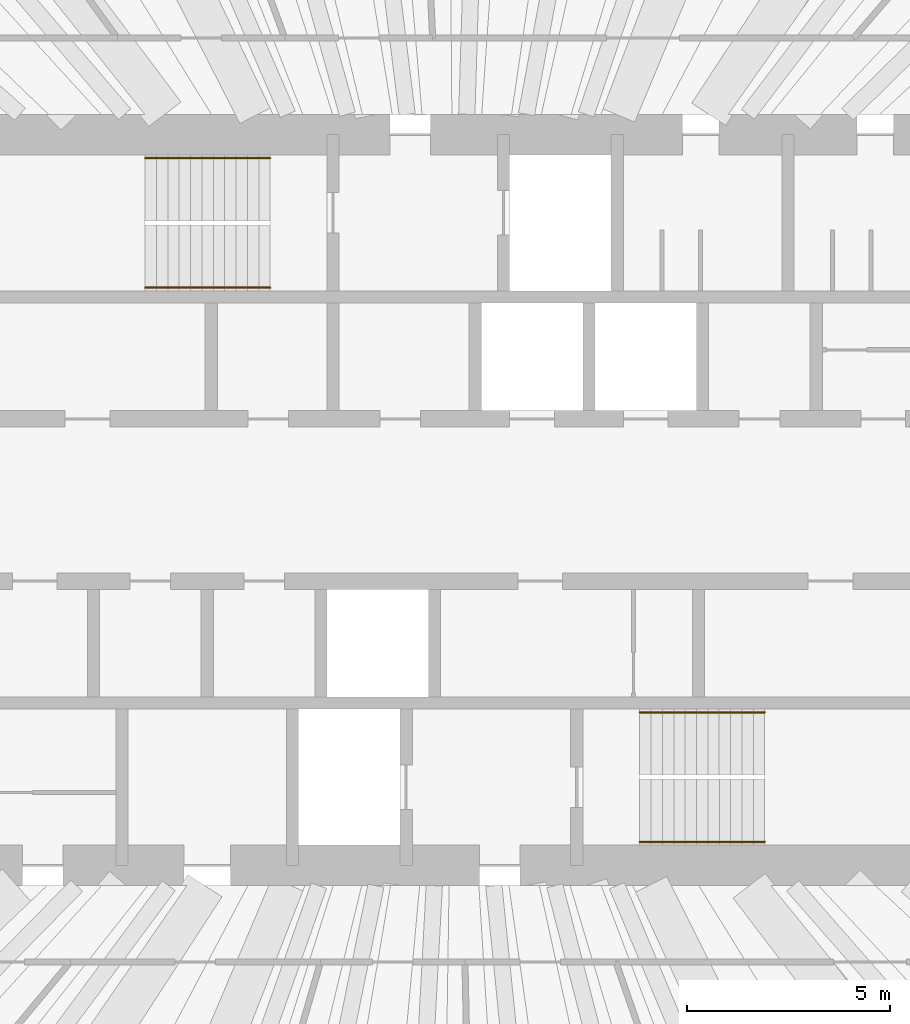
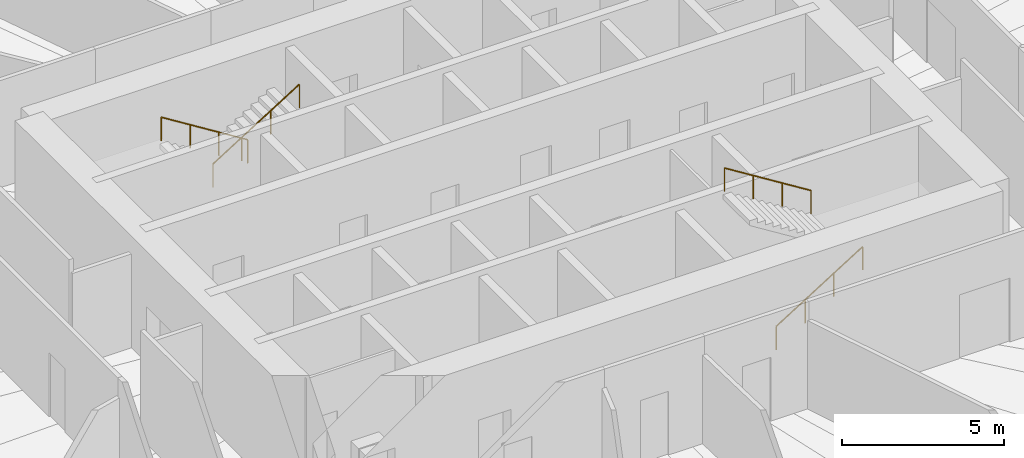
# One storey, part 14 of 14: 4 railings.
"""IFC4 building model written with IfcOpenShell, lengths in metres."""

from ifc_helpers import new_model, si_unit, direction, frame, origin, origin_2d, place, context, subcontext, project, spatial, circle, extrude, material, type_object, element, save


model = new_model("IFC4")

# Units and contexts
model_context = context("Model", 3, precision=1e-05, world=origin(), true_north=direction((0.0, 1.0)))
body_context = subcontext(model_context, "Body", "Model", "MODEL_VIEW")
ifc_project = project(units=[si_unit("LENGTHUNIT", "METRE"), si_unit("AREAUNIT", "SQUARE_METRE"), si_unit("VOLUMEUNIT", "CUBIC_METRE"), si_unit("PLANEANGLEUNIT", "RADIAN"), si_unit("MASSUNIT", "GRAM", prefix="KILO")], contexts=[model_context])

# Site, building, storey
site_placement = place(None, origin())
site = spatial("IfcSite", under=ifc_project, at=site_placement, CompositionType="ELEMENT")
building_placement = place(site_placement, origin())
building = spatial("IfcBuilding", under=site, at=building_placement, Name="Qingtian Harvest Tower", CompositionType="ELEMENT")
storey_placement = place(building_placement, frame((0.0, 0.0, 266.199951171875)))
storey = spatial("IfcBuildingStorey", under=building, at=storey_placement, Name="L58", CompositionType="ELEMENT", Elevation=266.199951171875)

# Railings
ifc_material = material(Name="Stainless steel handrail", Category="steel")
railing_type = type_object("IfcRailingType", Name="Handrail HR1", PredefinedType="HANDRAIL", material=ifc_material)
railing_1_placement = place(storey_placement, frame((-4.550048828125, 8.419921875, 0.175048828125)))
element("IfcRailing", 1, at=railing_1_placement, inside=storey, type_object=railing_type, Name="Handrail HR1 S1 flight 1", PredefinedType="HANDRAIL", context=body_context, shape_type="SweptSolid", body=[
    extrude(circle(Radius=0.02392578125, at=origin_2d()), frame((0.0, 0.0, 0.8759765625), z_axis=(-0.847979421464, 0.0, 0.530029150871), x_axis=(0.0, -1.0, 0.0)), (0.0, 0.0, 1.0), 3.632080078125),
    extrude(circle(Radius=0.02099609375, at=origin_2d()), origin(), (0.0, 0.0, 1.0), 0.851806640625),
    extrude(circle(Radius=0.02099609375, at=origin_2d()), frame((-1.026611328125, 0.0, 0.6416015625)), (0.0, 0.0, 1.0), 0.851806640625),
    extrude(circle(Radius=0.02099609375, at=origin_2d()), frame((-2.05322265625, 0.0, 1.283447265625)), (0.0, 0.0, 1.0), 0.851806640625),
    extrude(circle(Radius=0.02099609375, at=origin_2d()), frame((-3.079833984375, 0.0, 1.925048828125)), (0.0, 0.0, 1.0), 0.851806640625),
])
railing_2_placement = place(storey_placement, frame((-7.6298828125, 5.22998046875, 2.275146484375)))
element("IfcRailing", 2, at=railing_2_placement, inside=storey, type_object=railing_type, Name="Handrail HR1 S1 flight 2", PredefinedType="HANDRAIL", context=body_context, shape_type="SweptSolid", body=[
    extrude(circle(Radius=0.02392578125, at=origin_2d()), frame((0.0, 0.0, 0.8759765625), z_axis=(0.848009633417, 0.0, 0.529980812513), x_axis=(0.0, 1.0, 0.0)), (0.0, 0.0, 1.0), 3.6318359375),
    extrude(circle(Radius=0.02099609375, at=origin_2d()), origin(), (0.0, 0.0, 1.0), 0.851806640625),
    extrude(circle(Radius=0.02099609375, at=origin_2d()), frame((1.026611328125, 0.0, 0.6416015625)), (0.0, 0.0, 1.0), 0.851806640625),
    extrude(circle(Radius=0.02099609375, at=origin_2d()), frame((2.05322265625, 0.0, 1.283203125)), (0.0, 0.0, 1.0), 0.851806640625),
    extrude(circle(Radius=0.02099609375, at=origin_2d()), frame((3.079833984375, 0.0, 1.9248046875)), (0.0, 0.0, 1.0), 0.851806640625),
])
railing_3_placement = place(storey_placement, frame((4.550048828125, -8.419921875, 0.175048828125)))
element("IfcRailing", 3, at=railing_3_placement, inside=storey, type_object=railing_type, Name="Handrail HR1 S2 flight 1", PredefinedType="HANDRAIL", context=body_context, shape_type="SweptSolid", body=[
    extrude(circle(Radius=0.02392578125, at=origin_2d()), frame((0.0, 0.0, 0.8759765625), z_axis=(0.847979421464, 0.0, 0.530029150871), x_axis=(0.0, 1.0, 0.0)), (0.0, 0.0, 1.0), 3.632080078125),
    extrude(circle(Radius=0.02099609375, at=origin_2d()), origin(), (0.0, 0.0, 1.0), 0.851806640625),
    extrude(circle(Radius=0.02099609375, at=origin_2d()), frame((1.026611328125, 0.0, 0.6416015625)), (0.0, 0.0, 1.0), 0.851806640625),
    extrude(circle(Radius=0.02099609375, at=origin_2d()), frame((2.05322265625, 0.0, 1.283447265625)), (0.0, 0.0, 1.0), 0.851806640625),
    extrude(circle(Radius=0.02099609375, at=origin_2d()), frame((3.079833984375, 0.0, 1.925048828125)), (0.0, 0.0, 1.0), 0.851806640625),
])
railing_4_placement = place(storey_placement, frame((7.6298828125, -5.22998046875, 2.275146484375)))
element("IfcRailing", 4, at=railing_4_placement, inside=storey, type_object=railing_type, Name="Handrail HR1 S2 flight 2", PredefinedType="HANDRAIL", context=body_context, shape_type="SweptSolid", body=[
    extrude(circle(Radius=0.02392578125, at=origin_2d()), frame((0.0, 0.0, 0.8759765625), z_axis=(-0.848009633417, 0.0, 0.529980812513), x_axis=(0.0, -1.0, 0.0)), (0.0, 0.0, 1.0), 3.6318359375),
    extrude(circle(Radius=0.02099609375, at=origin_2d()), origin(), (0.0, 0.0, 1.0), 0.851806640625),
    extrude(circle(Radius=0.02099609375, at=origin_2d()), frame((-1.026611328125, 0.0, 0.6416015625)), (0.0, 0.0, 1.0), 0.851806640625),
    extrude(circle(Radius=0.02099609375, at=origin_2d()), frame((-2.05322265625, 0.0, 1.283203125)), (0.0, 0.0, 1.0), 0.851806640625),
    extrude(circle(Radius=0.02099609375, at=origin_2d()), frame((-3.079833984375, 0.0, 1.9248046875)), (0.0, 0.0, 1.0), 0.851806640625),
])

save(model, "model.ifc")
